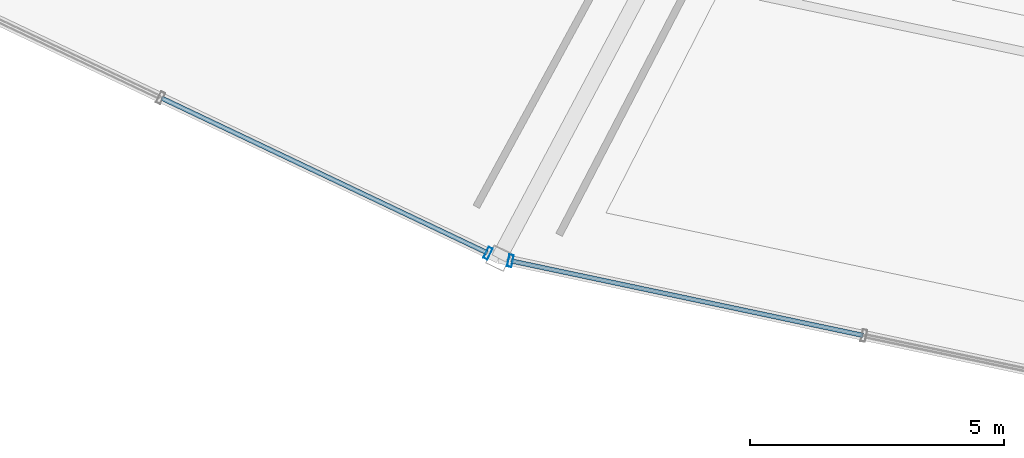
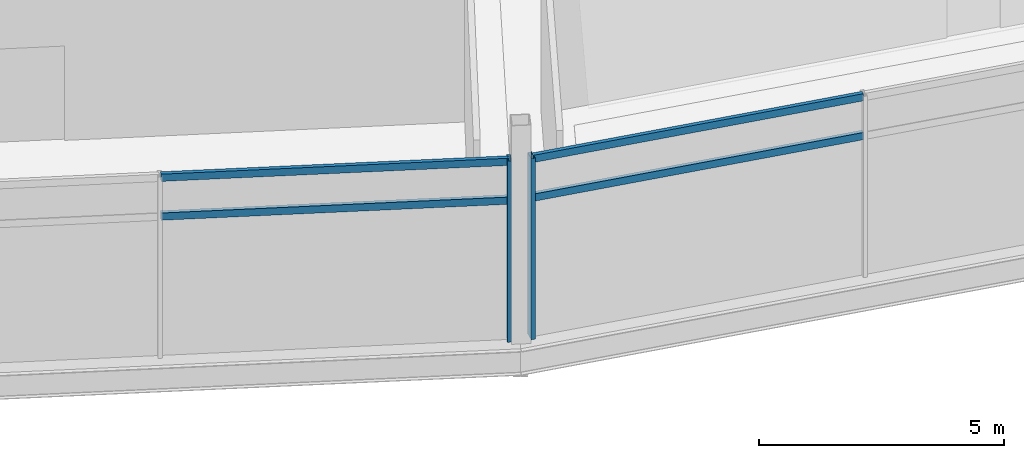
# One storey, part 16 of 86: 6 members, 2 elements without a shape of their own.
"""IFC4 building model written with IfcOpenShell, lengths in metres."""

from ifc_helpers import new_model, si_unit, direction, frame, origin, origin_2d, place, context, subcontext, project, spatial, hollow_rectangle, extrude, material, layer, layer_set, material_profile, profile_set, type_object, element, aggregate, save


model = new_model("IFC4")

# Units and contexts
model_context = context("Model", 3, precision=1e-05, world=origin(), true_north=direction((0.0, 1.0)))
body_context = subcontext(model_context, "Body", "Model", "MODEL_VIEW")
ifc_project = project(units=[si_unit("LENGTHUNIT", "METRE"), si_unit("AREAUNIT", "SQUARE_METRE"), si_unit("VOLUMEUNIT", "CUBIC_METRE"), si_unit("PLANEANGLEUNIT", "RADIAN"), si_unit("MASSUNIT", "GRAM", prefix="KILO")], contexts=[model_context])

# Site, building, storey
site_placement = place(None, origin())
site = spatial("IfcSite", under=ifc_project, at=site_placement, CompositionType="ELEMENT")
building_placement = place(site_placement, origin())
building = spatial("IfcBuilding", under=site, at=building_placement, Name="Kazemori Nagisa Stadium", CompositionType="ELEMENT")
storey_placement = place(building_placement, frame((0.0, 0.0, 31.280029296875)))
storey = spatial("IfcBuildingStorey", under=building, at=storey_placement, Name="L06", CompositionType="ELEMENT", Elevation=31.280029296875)

# Curtain wall, member
ifc_material_1 = material(Name="Anodised aluminium 6063-T5", Category="aluminium")
ifc_layer_1 = layer(ifc_material_1, 0.239990234375, Name="Anodised aluminium 6063-T5", Category="aluminium")
ifc_layer_set_1 = layer_set([ifc_layer_1], Name="Anodised aluminium 6063-T5")
curtain_wall_type_1 = type_object("IfcCurtainWallType", Name="CW_L06R3_108", PredefinedType="USERDEFINED", material=ifc_layer_set_1)
curtain_wall_1_placement = place(storey_placement, origin())
curtain_wall_1 = element("IfcCurtainWall", 1, at=curtain_wall_1_placement, inside=storey, type_object=curtain_wall_type_1, Name="Unitised curtain wall CW-L06R3-108 L06", ObjectType="UNITISED CURTAIN WALL", PredefinedType="USERDEFINED")
ifc_material_2 = material(Name="Aluminium 6063-T5 anodised", Category="aluminium")
ifc_material_profile_1 = material_profile(ifc_material_2, hollow_rectangle(XDim=0.090087890625, YDim=0.239990234375, WallThickness=0.0048828125, at=origin_2d()), Name="ALU-MULL-90x240x5")
ifc_profile_set_1 = profile_set([ifc_material_profile_1], Name="Aluminium 6063-T5 anodised")
member_type_1 = type_object("IfcMemberType", Name="Mullion_M03", PredefinedType="MULLION", material=ifc_profile_set_1)
member_1_placement = place(storey_placement, frame((79.98291015625, 21.63671875, 0.0), z_axis=(0.0, 0.0, 1.0), x_axis=(0.903215892654, -0.429186499388, 0.0)))
member_1 = element("IfcMember", 2, at=member_1_placement, type_object=member_type_1, Name="Curtain wall mullion CW-L06R3-108-M4", PredefinedType="MULLION", context=body_context, shape_type="SweptSolid", body=[
    extrude(hollow_rectangle(XDim=0.090087890625, YDim=0.239990234375, WallThickness=0.0048828125, at=origin_2d()), origin(), (0.0, 0.0, 1.0), 4.510009765625),
])

ifc_layer_2 = layer(ifc_material_1, 0.239990234375, Name="Anodised aluminium 6063-T5", Category="aluminium")
ifc_layer_set_2 = layer_set([ifc_layer_2], Name="Anodised aluminium 6063-T5")
curtain_wall_type_2 = type_object("IfcCurtainWallType", Name="CW_L06R3_107", PredefinedType="USERDEFINED", material=ifc_layer_set_2)
curtain_wall_2_placement = place(storey_placement, origin())
curtain_wall_2 = element("IfcCurtainWall", 3, at=curtain_wall_2_placement, inside=storey, type_object=curtain_wall_type_2, Name="Unitised curtain wall CW-L06R3-107 L06", ObjectType="UNITISED CURTAIN WALL", PredefinedType="USERDEFINED")
member_2_placement = place(storey_placement, frame((80.42529296875, 21.487060546875, 0.0), z_axis=(0.0, 0.0, 1.0), x_axis=(0.978344955407, -0.206981033502, 0.0)))
member_2 = element("IfcMember", 4, at=member_2_placement, type_object=member_type_1, Name="Curtain wall mullion CW-L06R3-107-M1", PredefinedType="MULLION", context=body_context, shape_type="SweptSolid", body=[
    extrude(hollow_rectangle(XDim=0.090087890625, YDim=0.239990234375, WallThickness=0.0048828125, at=origin_2d()), origin(), (0.0, 0.0, 1.0), 4.510009765625),
])

# Member
ifc_material_profile_2 = material_profile(ifc_material_2, hollow_rectangle(XDim=0.090087890625, YDim=0.179931640625, WallThickness=0.0048828125, at=origin_2d()), Name="ALU-TRAN-90x180x5")
ifc_profile_set_2 = profile_set([ifc_material_profile_2], Name="Aluminium 6063-T5 anodised")
member_type_2 = type_object("IfcMemberType", Name="Transom_T03", PredefinedType="USERDEFINED", material=ifc_profile_set_2)
member_3_placement = place(storey_placement, frame((73.544921875, 24.69580078125, 3.47265625), z_axis=(0.903218923673, -0.4291801206, 0.0), x_axis=(0.4291801206, 0.903218923673, 0.0)))
member_3 = element("IfcMember", 5, at=member_3_placement, type_object=member_type_2, Name="Curtain wall transom CW-L06R3-108-T3-mid", ObjectType="TRANSOM", PredefinedType="USERDEFINED", context=body_context, shape_type="SweptSolid", body=[
    extrude(hollow_rectangle(XDim=0.090087890625, YDim=0.179931640625, WallThickness=0.0048828125, at=origin_2d()), origin(), (0.0, 0.0, 1.0), 7.10791015625),
])

member_4_placement = place(storey_placement, frame((73.544921875, 24.69580078125, 4.43994140625), z_axis=(0.903218923673, -0.4291801206, 0.0), x_axis=(0.4291801206, 0.903218923673, 0.0)))
member_4 = element("IfcMember", 6, at=member_4_placement, type_object=member_type_2, Name="Curtain wall transom CW-L06R3-108-T3-head", ObjectType="TRANSOM", PredefinedType="USERDEFINED", context=body_context, shape_type="SweptSolid", body=[
    extrude(hollow_rectangle(XDim=0.090087890625, YDim=0.179931640625, WallThickness=0.0048828125, at=origin_2d()), origin(), (0.0, 0.0, 1.0), 7.10791015625),
])

aggregate(curtain_wall_1, [member_1, member_3, member_4])

member_5_placement = place(storey_placement, frame((80.44482421875, 21.48291015625, 3.47265625), z_axis=(0.978344605267, -0.206982688515, 0.0), x_axis=(0.206982688515, 0.978344605267, 0.0)))
member_5 = element("IfcMember", 7, at=member_5_placement, type_object=member_type_2, Name="Curtain wall transom CW-L06R3-107-T1-mid", ObjectType="TRANSOM", PredefinedType="USERDEFINED", context=body_context, shape_type="SweptSolid", body=[
    extrude(hollow_rectangle(XDim=0.090087890625, YDim=0.179931640625, WallThickness=0.0048828125, at=origin_2d()), origin(), (0.0, 0.0, 1.0), 7.086669921875),
])

member_6_placement = place(storey_placement, frame((80.44482421875, 21.48291015625, 4.43994140625), z_axis=(0.978344605267, -0.206982688515, 0.0), x_axis=(0.206982688515, 0.978344605267, 0.0)))
member_6 = element("IfcMember", 8, at=member_6_placement, type_object=member_type_2, Name="Curtain wall transom CW-L06R3-107-T1-head", ObjectType="TRANSOM", PredefinedType="USERDEFINED", context=body_context, shape_type="SweptSolid", body=[
    extrude(hollow_rectangle(XDim=0.090087890625, YDim=0.179931640625, WallThickness=0.0048828125, at=origin_2d()), origin(), (0.0, 0.0, 1.0), 7.086669921875),
])

aggregate(curtain_wall_2, [member_2, member_5, member_6])

save(model, "model.ifc")
